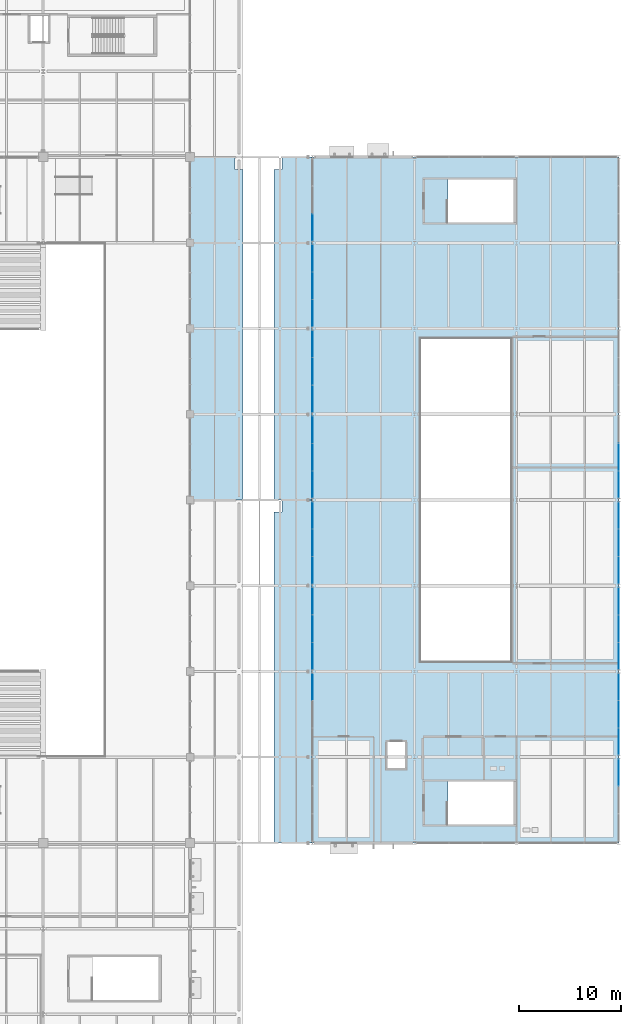
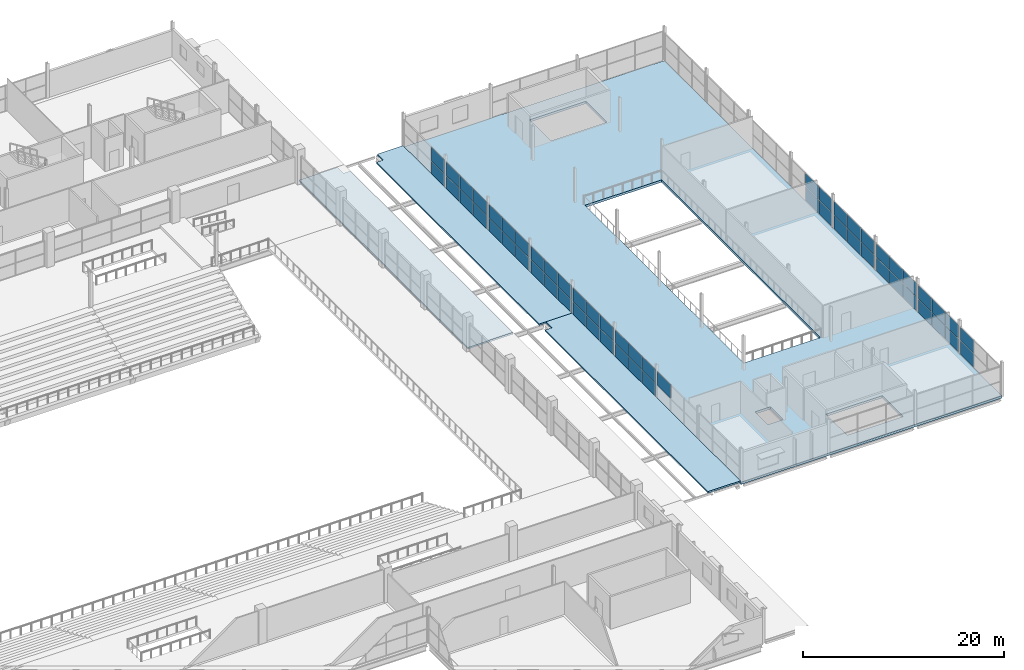
# One storey, part 130 of 161: 57 plates, 4 slabs, 12 elements without a shape of their own.
"""IFC4 building model written with IfcOpenShell, lengths in metres."""

from ifc_helpers import new_model, si_unit, direction, frame, origin, origin_2d, place, context, subcontext, project, spatial, polyline, rectangle, outline, extrude, material, layer, layer_set, type_object, element, aggregate, save


model = new_model("IFC4")

# Units and contexts
model_context = context("Model", 3, precision=1e-05, world=origin(), true_north=direction((0.0, 1.0)))
body_context = subcontext(model_context, "Body", "Model", "MODEL_VIEW")
ifc_project = project(units=[si_unit("LENGTHUNIT", "METRE"), si_unit("AREAUNIT", "SQUARE_METRE"), si_unit("VOLUMEUNIT", "CUBIC_METRE"), si_unit("PLANEANGLEUNIT", "RADIAN"), si_unit("MASSUNIT", "GRAM", prefix="KILO"), si_unit("THERMODYNAMICTEMPERATUREUNIT", "KELVIN")], contexts=[model_context])

# Site, building, storey
site_placement = place(None, origin())
site = spatial("IfcSite", under=ifc_project, at=site_placement, CompositionType="ELEMENT")
building_placement = place(site_placement, origin())
building = spatial("IfcBuilding", under=site, at=building_placement, Name="Nduvali Passage Aquatics Centre", CompositionType="ELEMENT")
storey_placement = place(building_placement, frame((0.0, 0.0, 4.800048828125)))
storey = spatial("IfcBuildingStorey", under=building, at=storey_placement, Name="L01", CompositionType="ELEMENT", Elevation=4.800048828125)

# Curtain wall, plate
ifc_material_1 = material(Name="Aluminium EN AW-6063 T6", Category="aluminium")
curtain_wall_type = type_object("IfcCurtainWallType", Name="ENV-CW-FOYR", PredefinedType="NOTDEFINED", material=ifc_material_1)
curtain_wall_1_placement = place(storey_placement, origin())
curtain_wall_1 = element("IfcCurtainWall", 1, at=curtain_wall_1_placement, inside=storey, type_object=curtain_wall_type, Name="L01 Passage Foyer Upper CW 070", PredefinedType="NOTDEFINED")
ifc_material_2 = material(Name="Laminated solar-control low-E IGU")
ifc_layer_1 = layer(ifc_material_2, 0.028076171875, Name="Laminated solar-control low-E IGU")
ifc_layer_set_1 = layer_set([ifc_layer_1], Name="Laminated solar-control low-E IGU")
plate_type = type_object("IfcPlateType", Name="ENV-PLT-GLZ28", PredefinedType="CURTAIN_PANEL", material=ifc_layer_set_1)
plate_1_placement = place(storey_placement, frame((138.0, 40.485107421875, 1.748046875), z_axis=(0.0, 0.0, 1.0), x_axis=(0.0, 1.0, 0.0)))
plate_1 = element("IfcPlate", 2, at=plate_1_placement, type_object=plate_type, Name="Passage Foyer Upper CW Glazed Panel B3-R2", PredefinedType="CURTAIN_PANEL", context=body_context, shape_type="SweptSolid", body=[
    extrude(rectangle(XDim=2.610107421875, YDim=0.028076171875, at=origin_2d()), origin(), (0.0, 0.0, 1.0), 1.628173828125),
])
aggregate(curtain_wall_1, [plate_1])

# Curtain wall, plates
curtain_wall_2_placement = place(storey_placement, origin())
curtain_wall_2 = element("IfcCurtainWall", 3, at=curtain_wall_2_placement, inside=storey, type_object=curtain_wall_type, Name="L01 Passage Foyer Upper CW 072", PredefinedType="NOTDEFINED")
plate_2_placement = place(storey_placement, frame((138.0, 43.514892578125, 0.06005859375), z_axis=(0.0, 0.0, 1.0), x_axis=(0.0, 1.0, 0.0)))
plate_2 = element("IfcPlate", 4, at=plate_2_placement, type_object=plate_type, Name="Passage Foyer Upper CW Glazed Panel B1-R1", PredefinedType="CURTAIN_PANEL", context=body_context, shape_type="SweptSolid", body=[
    extrude(rectangle(XDim=2.610107421875, YDim=0.028076171875, at=origin_2d()), origin(), (0.0, 0.0, 1.0), 1.628173828125),
])
plate_3_placement = place(storey_placement, frame((138.0, 43.514892578125, 1.748046875), z_axis=(0.0, 0.0, 1.0), x_axis=(0.0, 1.0, 0.0)))
plate_3 = element("IfcPlate", 5, at=plate_3_placement, type_object=plate_type, Name="Passage Foyer Upper CW Glazed Panel B1-R2", PredefinedType="CURTAIN_PANEL", context=body_context, shape_type="SweptSolid", body=[
    extrude(rectangle(XDim=2.610107421875, YDim=0.028076171875, at=origin_2d()), origin(), (0.0, 0.0, 1.0), 1.628173828125),
])
plate_4_placement = place(storey_placement, frame((138.0, 46.199951171875, 0.06005859375), z_axis=(0.0, 0.0, 1.0), x_axis=(0.0, 1.0, 0.0)))
plate_4 = element("IfcPlate", 6, at=plate_4_placement, type_object=plate_type, Name="Passage Foyer Upper CW Glazed Panel B2-R1", PredefinedType="CURTAIN_PANEL", context=body_context, shape_type="SweptSolid", body=[
    extrude(rectangle(XDim=2.639892578125, YDim=0.028076171875, at=origin_2d()), origin(), (0.0, 0.0, 1.0), 1.628173828125),
])
plate_5_placement = place(storey_placement, frame((138.0, 46.199951171875, 1.748046875), z_axis=(0.0, 0.0, 1.0), x_axis=(0.0, 1.0, 0.0)))
plate_5 = element("IfcPlate", 7, at=plate_5_placement, type_object=plate_type, Name="Passage Foyer Upper CW Glazed Panel B2-R2", PredefinedType="CURTAIN_PANEL", context=body_context, shape_type="SweptSolid", body=[
    extrude(rectangle(XDim=2.639892578125, YDim=0.028076171875, at=origin_2d()), origin(), (0.0, 0.0, 1.0), 1.628173828125),
])
plate_6_placement = place(storey_placement, frame((138.0, 48.885009765625, 0.06005859375), z_axis=(0.0, 0.0, 1.0), x_axis=(0.0, 1.0, 0.0)))
plate_6 = element("IfcPlate", 8, at=plate_6_placement, type_object=plate_type, Name="Passage Foyer Upper CW Glazed Panel B3-R1", PredefinedType="CURTAIN_PANEL", context=body_context, shape_type="SweptSolid", body=[
    extrude(rectangle(XDim=2.610107421875, YDim=0.028076171875, at=origin_2d()), origin(), (0.0, 0.0, 1.0), 1.628173828125),
])
plate_7_placement = place(storey_placement, frame((138.0, 48.885009765625, 1.748046875), z_axis=(0.0, 0.0, 1.0), x_axis=(0.0, 1.0, 0.0)))
plate_7 = element("IfcPlate", 9, at=plate_7_placement, type_object=plate_type, Name="Passage Foyer Upper CW Glazed Panel B3-R2", PredefinedType="CURTAIN_PANEL", context=body_context, shape_type="SweptSolid", body=[
    extrude(rectangle(XDim=2.610107421875, YDim=0.028076171875, at=origin_2d()), origin(), (0.0, 0.0, 1.0), 1.628173828125),
])
aggregate(curtain_wall_2, [plate_2, plate_3, plate_4, plate_5, plate_6, plate_7])

curtain_wall_3_placement = place(storey_placement, origin())
curtain_wall_3 = element("IfcCurtainWall", 10, at=curtain_wall_3_placement, inside=storey, type_object=curtain_wall_type, Name="L01 Passage Foyer Upper CW 073", PredefinedType="NOTDEFINED")
plate_8_placement = place(storey_placement, frame((138.0, 51.9150390625, 0.06005859375), z_axis=(0.0, 0.0, 1.0), x_axis=(0.0, 1.0, 0.0)))
plate_8 = element("IfcPlate", 11, at=plate_8_placement, type_object=plate_type, Name="Passage Foyer Upper CW Glazed Panel B1-R1", PredefinedType="CURTAIN_PANEL", context=body_context, shape_type="SweptSolid", body=[
    extrude(rectangle(XDim=2.610107421875, YDim=0.028076171875, at=origin_2d()), origin(), (0.0, 0.0, 1.0), 1.628173828125),
])
plate_9_placement = place(storey_placement, frame((138.0, 51.9150390625, 1.748046875), z_axis=(0.0, 0.0, 1.0), x_axis=(0.0, 1.0, 0.0)))
plate_9 = element("IfcPlate", 12, at=plate_9_placement, type_object=plate_type, Name="Passage Foyer Upper CW Glazed Panel B1-R2", PredefinedType="CURTAIN_PANEL", context=body_context, shape_type="SweptSolid", body=[
    extrude(rectangle(XDim=2.610107421875, YDim=0.028076171875, at=origin_2d()), origin(), (0.0, 0.0, 1.0), 1.628173828125),
])
plate_10_placement = place(storey_placement, frame((138.0, 54.60009765625, 0.06005859375), z_axis=(0.0, 0.0, 1.0), x_axis=(0.0, 1.0, 0.0)))
plate_10 = element("IfcPlate", 13, at=plate_10_placement, type_object=plate_type, Name="Passage Foyer Upper CW Glazed Panel B2-R1", PredefinedType="CURTAIN_PANEL", context=body_context, shape_type="SweptSolid", body=[
    extrude(rectangle(XDim=2.639892578125, YDim=0.028076171875, at=origin_2d()), origin(), (0.0, 0.0, 1.0), 1.628173828125),
])
plate_11_placement = place(storey_placement, frame((138.0, 54.60009765625, 1.748046875), z_axis=(0.0, 0.0, 1.0), x_axis=(0.0, 1.0, 0.0)))
plate_11 = element("IfcPlate", 14, at=plate_11_placement, type_object=plate_type, Name="Passage Foyer Upper CW Glazed Panel B2-R2", PredefinedType="CURTAIN_PANEL", context=body_context, shape_type="SweptSolid", body=[
    extrude(rectangle(XDim=2.639892578125, YDim=0.028076171875, at=origin_2d()), origin(), (0.0, 0.0, 1.0), 1.628173828125),
])
plate_12_placement = place(storey_placement, frame((138.0, 57.284912109375, 0.06005859375), z_axis=(0.0, 0.0, 1.0), x_axis=(0.0, 1.0, 0.0)))
plate_12 = element("IfcPlate", 15, at=plate_12_placement, type_object=plate_type, Name="Passage Foyer Upper CW Glazed Panel B3-R1", PredefinedType="CURTAIN_PANEL", context=body_context, shape_type="SweptSolid", body=[
    extrude(rectangle(XDim=2.610107421875, YDim=0.028076171875, at=origin_2d()), origin(), (0.0, 0.0, 1.0), 1.628173828125),
])
plate_13_placement = place(storey_placement, frame((138.0, 57.284912109375, 1.748046875), z_axis=(0.0, 0.0, 1.0), x_axis=(0.0, 1.0, 0.0)))
plate_13 = element("IfcPlate", 16, at=plate_13_placement, type_object=plate_type, Name="Passage Foyer Upper CW Glazed Panel B3-R2", PredefinedType="CURTAIN_PANEL", context=body_context, shape_type="SweptSolid", body=[
    extrude(rectangle(XDim=2.610107421875, YDim=0.028076171875, at=origin_2d()), origin(), (0.0, 0.0, 1.0), 1.628173828125),
])
aggregate(curtain_wall_3, [plate_8, plate_9, plate_10, plate_11, plate_12, plate_13])

curtain_wall_4_placement = place(storey_placement, origin())
curtain_wall_4 = element("IfcCurtainWall", 17, at=curtain_wall_4_placement, inside=storey, type_object=curtain_wall_type, Name="L01 Passage Foyer Upper CW 074", PredefinedType="NOTDEFINED")
plate_14_placement = place(storey_placement, frame((138.0, 60.31494140625, 0.06005859375), z_axis=(0.0, 0.0, 1.0), x_axis=(0.0, 1.0, 0.0)))
plate_14 = element("IfcPlate", 18, at=plate_14_placement, type_object=plate_type, Name="Passage Foyer Upper CW Glazed Panel B1-R1", PredefinedType="CURTAIN_PANEL", context=body_context, shape_type="SweptSolid", body=[
    extrude(rectangle(XDim=2.610107421875, YDim=0.028076171875, at=origin_2d()), origin(), (0.0, 0.0, 1.0), 1.628173828125),
])
plate_15_placement = place(storey_placement, frame((138.0, 60.31494140625, 1.748046875), z_axis=(0.0, 0.0, 1.0), x_axis=(0.0, 1.0, 0.0)))
plate_15 = element("IfcPlate", 19, at=plate_15_placement, type_object=plate_type, Name="Passage Foyer Upper CW Glazed Panel B1-R2", PredefinedType="CURTAIN_PANEL", context=body_context, shape_type="SweptSolid", body=[
    extrude(rectangle(XDim=2.610107421875, YDim=0.028076171875, at=origin_2d()), origin(), (0.0, 0.0, 1.0), 1.628173828125),
])
plate_16_placement = place(storey_placement, frame((138.0, 63.0, 0.06005859375), z_axis=(0.0, 0.0, 1.0), x_axis=(0.0, 1.0, 0.0)))
plate_16 = element("IfcPlate", 20, at=plate_16_placement, type_object=plate_type, Name="Passage Foyer Upper CW Glazed Panel B2-R1", PredefinedType="CURTAIN_PANEL", context=body_context, shape_type="SweptSolid", body=[
    extrude(rectangle(XDim=2.639892578125, YDim=0.028076171875, at=origin_2d()), origin(), (0.0, 0.0, 1.0), 1.628173828125),
])
plate_17_placement = place(storey_placement, frame((138.0, 63.0, 1.748046875), z_axis=(0.0, 0.0, 1.0), x_axis=(0.0, 1.0, 0.0)))
plate_17 = element("IfcPlate", 21, at=plate_17_placement, type_object=plate_type, Name="Passage Foyer Upper CW Glazed Panel B2-R2", PredefinedType="CURTAIN_PANEL", context=body_context, shape_type="SweptSolid", body=[
    extrude(rectangle(XDim=2.639892578125, YDim=0.028076171875, at=origin_2d()), origin(), (0.0, 0.0, 1.0), 1.628173828125),
])
plate_18_placement = place(storey_placement, frame((138.0, 65.68505859375, 0.06005859375), z_axis=(0.0, 0.0, 1.0), x_axis=(0.0, 1.0, 0.0)))
plate_18 = element("IfcPlate", 22, at=plate_18_placement, type_object=plate_type, Name="Passage Foyer Upper CW Glazed Panel B3-R1", PredefinedType="CURTAIN_PANEL", context=body_context, shape_type="SweptSolid", body=[
    extrude(rectangle(XDim=2.610107421875, YDim=0.028076171875, at=origin_2d()), origin(), (0.0, 0.0, 1.0), 1.628173828125),
])
plate_19_placement = place(storey_placement, frame((138.0, 65.68505859375, 1.748046875), z_axis=(0.0, 0.0, 1.0), x_axis=(0.0, 1.0, 0.0)))
plate_19 = element("IfcPlate", 23, at=plate_19_placement, type_object=plate_type, Name="Passage Foyer Upper CW Glazed Panel B3-R2", PredefinedType="CURTAIN_PANEL", context=body_context, shape_type="SweptSolid", body=[
    extrude(rectangle(XDim=2.610107421875, YDim=0.028076171875, at=origin_2d()), origin(), (0.0, 0.0, 1.0), 1.628173828125),
])
aggregate(curtain_wall_4, [plate_14, plate_15, plate_16, plate_17, plate_18, plate_19])

curtain_wall_5_placement = place(storey_placement, origin())
curtain_wall_5 = element("IfcCurtainWall", 24, at=curtain_wall_5_placement, inside=storey, type_object=curtain_wall_type, Name="L01 Passage Foyer Upper CW 076", PredefinedType="NOTDEFINED")
plate_20_placement = place(storey_placement, frame((138.0, 68.715087890625, 0.06005859375), z_axis=(0.0, 0.0, 1.0), x_axis=(0.0, 1.0, 0.0)))
plate_20 = element("IfcPlate", 25, at=plate_20_placement, type_object=plate_type, Name="Passage Foyer Upper CW Glazed Panel B1-R1", PredefinedType="CURTAIN_PANEL", context=body_context, shape_type="SweptSolid", body=[
    extrude(rectangle(XDim=2.610107421875, YDim=0.028076171875, at=origin_2d()), origin(), (0.0, 0.0, 1.0), 1.628173828125),
])
plate_21_placement = place(storey_placement, frame((138.0, 68.715087890625, 1.748046875), z_axis=(0.0, 0.0, 1.0), x_axis=(0.0, 1.0, 0.0)))
plate_21 = element("IfcPlate", 26, at=plate_21_placement, type_object=plate_type, Name="Passage Foyer Upper CW Glazed Panel B1-R2", PredefinedType="CURTAIN_PANEL", context=body_context, shape_type="SweptSolid", body=[
    extrude(rectangle(XDim=2.610107421875, YDim=0.028076171875, at=origin_2d()), origin(), (0.0, 0.0, 1.0), 1.628173828125),
])
plate_22_placement = place(storey_placement, frame((138.0, 71.39990234375, 0.06005859375), z_axis=(0.0, 0.0, 1.0), x_axis=(0.0, 1.0, 0.0)))
plate_22 = element("IfcPlate", 27, at=plate_22_placement, type_object=plate_type, Name="Passage Foyer Upper CW Glazed Panel B2-R1", PredefinedType="CURTAIN_PANEL", context=body_context, shape_type="SweptSolid", body=[
    extrude(rectangle(XDim=2.639892578125, YDim=0.028076171875, at=origin_2d()), origin(), (0.0, 0.0, 1.0), 1.628173828125),
])
plate_23_placement = place(storey_placement, frame((138.0, 71.39990234375, 1.748046875), z_axis=(0.0, 0.0, 1.0), x_axis=(0.0, 1.0, 0.0)))
plate_23 = element("IfcPlate", 28, at=plate_23_placement, type_object=plate_type, Name="Passage Foyer Upper CW Glazed Panel B2-R2", PredefinedType="CURTAIN_PANEL", context=body_context, shape_type="SweptSolid", body=[
    extrude(rectangle(XDim=2.639892578125, YDim=0.028076171875, at=origin_2d()), origin(), (0.0, 0.0, 1.0), 1.628173828125),
])
plate_24_placement = place(storey_placement, frame((138.0, 74.0849609375, 0.06005859375), z_axis=(0.0, 0.0, 1.0), x_axis=(0.0, 1.0, 0.0)))
plate_24 = element("IfcPlate", 29, at=plate_24_placement, type_object=plate_type, Name="Passage Foyer Upper CW Glazed Panel B3-R1", PredefinedType="CURTAIN_PANEL", context=body_context, shape_type="SweptSolid", body=[
    extrude(rectangle(XDim=2.610107421875, YDim=0.028076171875, at=origin_2d()), origin(), (0.0, 0.0, 1.0), 1.628173828125),
])
plate_25_placement = place(storey_placement, frame((138.0, 74.0849609375, 1.748046875), z_axis=(0.0, 0.0, 1.0), x_axis=(0.0, 1.0, 0.0)))
plate_25 = element("IfcPlate", 30, at=plate_25_placement, type_object=plate_type, Name="Passage Foyer Upper CW Glazed Panel B3-R2", PredefinedType="CURTAIN_PANEL", context=body_context, shape_type="SweptSolid", body=[
    extrude(rectangle(XDim=2.610107421875, YDim=0.028076171875, at=origin_2d()), origin(), (0.0, 0.0, 1.0), 1.628173828125),
])
aggregate(curtain_wall_5, [plate_20, plate_21, plate_22, plate_23, plate_24, plate_25])

curtain_wall_6_placement = place(storey_placement, origin())
curtain_wall_6 = element("IfcCurtainWall", 31, at=curtain_wall_6_placement, inside=storey, type_object=curtain_wall_type, Name="L01 Passage Foyer Upper CW 078", PredefinedType="NOTDEFINED")
plate_26_placement = place(storey_placement, frame((138.0, 77.114990234375, 0.06005859375), z_axis=(0.0, 0.0, 1.0), x_axis=(0.0, 1.0, 0.0)))
plate_26 = element("IfcPlate", 32, at=plate_26_placement, type_object=plate_type, Name="Passage Foyer Upper CW Glazed Panel B1-R1", PredefinedType="CURTAIN_PANEL", context=body_context, shape_type="SweptSolid", body=[
    extrude(rectangle(XDim=2.610107421875, YDim=0.028076171875, at=origin_2d()), origin(), (0.0, 0.0, 1.0), 1.628173828125),
])
plate_27_placement = place(storey_placement, frame((138.0, 77.114990234375, 1.748046875), z_axis=(0.0, 0.0, 1.0), x_axis=(0.0, 1.0, 0.0)))
plate_27 = element("IfcPlate", 33, at=plate_27_placement, type_object=plate_type, Name="Passage Foyer Upper CW Glazed Panel B1-R2", PredefinedType="CURTAIN_PANEL", context=body_context, shape_type="SweptSolid", body=[
    extrude(rectangle(XDim=2.610107421875, YDim=0.028076171875, at=origin_2d()), origin(), (0.0, 0.0, 1.0), 1.628173828125),
])
plate_28_placement = place(storey_placement, frame((138.0, 79.800048828125, 0.06005859375), z_axis=(0.0, 0.0, 1.0), x_axis=(0.0, 1.0, 0.0)))
plate_28 = element("IfcPlate", 34, at=plate_28_placement, type_object=plate_type, Name="Passage Foyer Upper CW Glazed Panel B2-R1", PredefinedType="CURTAIN_PANEL", context=body_context, shape_type="SweptSolid", body=[
    extrude(rectangle(XDim=2.639892578125, YDim=0.028076171875, at=origin_2d()), origin(), (0.0, 0.0, 1.0), 1.628173828125),
])
plate_29_placement = place(storey_placement, frame((138.0, 79.800048828125, 1.748046875), z_axis=(0.0, 0.0, 1.0), x_axis=(0.0, 1.0, 0.0)))
plate_29 = element("IfcPlate", 35, at=plate_29_placement, type_object=plate_type, Name="Passage Foyer Upper CW Glazed Panel B2-R2", PredefinedType="CURTAIN_PANEL", context=body_context, shape_type="SweptSolid", body=[
    extrude(rectangle(XDim=2.639892578125, YDim=0.028076171875, at=origin_2d()), origin(), (0.0, 0.0, 1.0), 1.628173828125),
])
plate_30_placement = place(storey_placement, frame((138.0, 82.485107421875, 0.06005859375), z_axis=(0.0, 0.0, 1.0), x_axis=(0.0, 1.0, 0.0)))
plate_30 = element("IfcPlate", 36, at=plate_30_placement, type_object=plate_type, Name="Passage Foyer Upper CW Glazed Panel B3-R1", PredefinedType="CURTAIN_PANEL", context=body_context, shape_type="SweptSolid", body=[
    extrude(rectangle(XDim=2.610107421875, YDim=0.028076171875, at=origin_2d()), origin(), (0.0, 0.0, 1.0), 1.628173828125),
])
plate_31_placement = place(storey_placement, frame((138.0, 82.485107421875, 1.748046875), z_axis=(0.0, 0.0, 1.0), x_axis=(0.0, 1.0, 0.0)))
plate_31 = element("IfcPlate", 37, at=plate_31_placement, type_object=plate_type, Name="Passage Foyer Upper CW Glazed Panel B3-R2", PredefinedType="CURTAIN_PANEL", context=body_context, shape_type="SweptSolid", body=[
    extrude(rectangle(XDim=2.610107421875, YDim=0.028076171875, at=origin_2d()), origin(), (0.0, 0.0, 1.0), 1.628173828125),
])
aggregate(curtain_wall_6, [plate_26, plate_27, plate_28, plate_29, plate_30, plate_31])

curtain_wall_7_placement = place(storey_placement, origin())
curtain_wall_7 = element("IfcCurtainWall", 38, at=curtain_wall_7_placement, inside=storey, type_object=curtain_wall_type, Name="L01 Passage Foyer End Upper CW 079", PredefinedType="NOTDEFINED")
plate_32_placement = place(storey_placement, frame((138.0, 85.514892578125, 0.06005859375), z_axis=(0.0, 0.0, 1.0), x_axis=(0.0, 1.0, 0.0)))
plate_32 = element("IfcPlate", 39, at=plate_32_placement, type_object=plate_type, Name="Passage Foyer End Upper CW Glazed Panel B1-R1", PredefinedType="CURTAIN_PANEL", context=body_context, shape_type="SweptSolid", body=[
    extrude(rectangle(XDim=2.610107421875, YDim=0.028076171875, at=origin_2d()), origin(), (0.0, 0.0, 1.0), 1.628173828125),
])
plate_33_placement = place(storey_placement, frame((138.0, 85.514892578125, 1.748046875), z_axis=(0.0, 0.0, 1.0), x_axis=(0.0, 1.0, 0.0)))
plate_33 = element("IfcPlate", 40, at=plate_33_placement, type_object=plate_type, Name="Passage Foyer End Upper CW Glazed Panel B1-R2", PredefinedType="CURTAIN_PANEL", context=body_context, shape_type="SweptSolid", body=[
    extrude(rectangle(XDim=2.610107421875, YDim=0.028076171875, at=origin_2d()), origin(), (0.0, 0.0, 1.0), 1.628173828125),
])
aggregate(curtain_wall_7, [plate_32, plate_33])

curtain_wall_8_placement = place(storey_placement, origin())
curtain_wall_8 = element("IfcCurtainWall", 41, at=curtain_wall_8_placement, inside=storey, type_object=curtain_wall_type, Name="L01 East Avenue Entrance End Upper CW 080", PredefinedType="NOTDEFINED")
plate_34_placement = place(storey_placement, frame((168.0, 32.081787109375, 0.06005859375), z_axis=(0.0, 0.0, 1.0), x_axis=(0.0, 1.0, 0.0)))
plate_34 = element("IfcPlate", 42, at=plate_34_placement, type_object=plate_type, Name="East Avenue Entrance End Upper CW Glazed Panel B3-R1", PredefinedType="CURTAIN_PANEL", context=body_context, shape_type="SweptSolid", body=[
    extrude(rectangle(XDim=2.606689453125, YDim=0.028076171875, at=origin_2d()), origin(), (0.0, 0.0, 1.0), 1.628173828125),
])
plate_35_placement = place(storey_placement, frame((168.0, 32.081787109375, 1.748046875), z_axis=(0.0, 0.0, 1.0), x_axis=(0.0, 1.0, 0.0)))
plate_35 = element("IfcPlate", 43, at=plate_35_placement, type_object=plate_type, Name="East Avenue Entrance End Upper CW Glazed Panel B3-R2", PredefinedType="CURTAIN_PANEL", context=body_context, shape_type="SweptSolid", body=[
    extrude(rectangle(XDim=2.606689453125, YDim=0.028076171875, at=origin_2d()), origin(), (0.0, 0.0, 1.0), 1.628173828125),
])
aggregate(curtain_wall_8, [plate_34, plate_35])

curtain_wall_9_placement = place(storey_placement, origin())
curtain_wall_9 = element("IfcCurtainWall", 44, at=curtain_wall_9_placement, inside=storey, type_object=curtain_wall_type, Name="L01 East Avenue Entrance Upper CW 082", PredefinedType="NOTDEFINED")
plate_36_placement = place(storey_placement, frame((168.0, 35.118408203125, 0.06005859375), z_axis=(0.0, 0.0, 1.0), x_axis=(0.0, 1.0, 0.0)))
plate_36 = element("IfcPlate", 45, at=plate_36_placement, type_object=plate_type, Name="East Avenue Entrance Upper CW Glazed Panel B1-R1", PredefinedType="CURTAIN_PANEL", context=body_context, shape_type="SweptSolid", body=[
    extrude(rectangle(XDim=2.606689453125, YDim=0.028076171875, at=origin_2d()), origin(), (0.0, 0.0, 1.0), 1.628173828125),
])
plate_37_placement = place(storey_placement, frame((168.0, 35.118408203125, 1.748046875), z_axis=(0.0, 0.0, 1.0), x_axis=(0.0, 1.0, 0.0)))
plate_37 = element("IfcPlate", 46, at=plate_37_placement, type_object=plate_type, Name="East Avenue Entrance Upper CW Glazed Panel B1-R2", PredefinedType="CURTAIN_PANEL", context=body_context, shape_type="SweptSolid", body=[
    extrude(rectangle(XDim=2.606689453125, YDim=0.028076171875, at=origin_2d()), origin(), (0.0, 0.0, 1.0), 1.628173828125),
])
plate_38_placement = place(storey_placement, frame((168.0, 37.800048828125, 0.06005859375), z_axis=(0.0, 0.0, 1.0), x_axis=(0.0, 1.0, 0.0)))
plate_38 = element("IfcPlate", 47, at=plate_38_placement, type_object=plate_type, Name="East Avenue Entrance Upper CW Glazed Panel B2-R1", PredefinedType="CURTAIN_PANEL", context=body_context, shape_type="SweptSolid", body=[
    extrude(rectangle(XDim=2.63671875, YDim=0.028076171875, at=origin_2d()), origin(), (0.0, 0.0, 1.0), 1.628173828125),
])
plate_39_placement = place(storey_placement, frame((168.0, 37.800048828125, 1.748046875), z_axis=(0.0, 0.0, 1.0), x_axis=(0.0, 1.0, 0.0)))
plate_39 = element("IfcPlate", 48, at=plate_39_placement, type_object=plate_type, Name="East Avenue Entrance Upper CW Glazed Panel B2-R2", PredefinedType="CURTAIN_PANEL", context=body_context, shape_type="SweptSolid", body=[
    extrude(rectangle(XDim=2.63671875, YDim=0.028076171875, at=origin_2d()), origin(), (0.0, 0.0, 1.0), 1.628173828125),
])
plate_40_placement = place(storey_placement, frame((168.0, 40.481689453125, 0.06005859375), z_axis=(0.0, 0.0, 1.0), x_axis=(0.0, 1.0, 0.0)))
plate_40 = element("IfcPlate", 49, at=plate_40_placement, type_object=plate_type, Name="East Avenue Entrance Upper CW Glazed Panel B3-R1", PredefinedType="CURTAIN_PANEL", context=body_context, shape_type="SweptSolid", body=[
    extrude(rectangle(XDim=2.606689453125, YDim=0.028076171875, at=origin_2d()), origin(), (0.0, 0.0, 1.0), 1.628173828125),
])
plate_41_placement = place(storey_placement, frame((168.0, 40.481689453125, 1.748046875), z_axis=(0.0, 0.0, 1.0), x_axis=(0.0, 1.0, 0.0)))
plate_41 = element("IfcPlate", 50, at=plate_41_placement, type_object=plate_type, Name="East Avenue Entrance Upper CW Glazed Panel B3-R2", PredefinedType="CURTAIN_PANEL", context=body_context, shape_type="SweptSolid", body=[
    extrude(rectangle(XDim=2.606689453125, YDim=0.028076171875, at=origin_2d()), origin(), (0.0, 0.0, 1.0), 1.628173828125),
])
aggregate(curtain_wall_9, [plate_36, plate_37, plate_38, plate_39, plate_40, plate_41])

curtain_wall_10_placement = place(storey_placement, origin())
curtain_wall_10 = element("IfcCurtainWall", 51, at=curtain_wall_10_placement, inside=storey, type_object=curtain_wall_type, Name="L01 East Avenue Entrance Upper CW 084", PredefinedType="NOTDEFINED")
plate_42_placement = place(storey_placement, frame((168.0, 43.518310546875, 0.06005859375), z_axis=(0.0, 0.0, 1.0), x_axis=(0.0, 1.0, 0.0)))
plate_42 = element("IfcPlate", 52, at=plate_42_placement, type_object=plate_type, Name="East Avenue Entrance Upper CW Glazed Panel B1-R1", PredefinedType="CURTAIN_PANEL", context=body_context, shape_type="SweptSolid", body=[
    extrude(rectangle(XDim=2.606689453125, YDim=0.028076171875, at=origin_2d()), origin(), (0.0, 0.0, 1.0), 1.628173828125),
])
plate_43_placement = place(storey_placement, frame((168.0, 43.518310546875, 1.748046875), z_axis=(0.0, 0.0, 1.0), x_axis=(0.0, 1.0, 0.0)))
plate_43 = element("IfcPlate", 53, at=plate_43_placement, type_object=plate_type, Name="East Avenue Entrance Upper CW Glazed Panel B1-R2", PredefinedType="CURTAIN_PANEL", context=body_context, shape_type="SweptSolid", body=[
    extrude(rectangle(XDim=2.606689453125, YDim=0.028076171875, at=origin_2d()), origin(), (0.0, 0.0, 1.0), 1.628173828125),
])
plate_44_placement = place(storey_placement, frame((168.0, 46.199951171875, 0.06005859375), z_axis=(0.0, 0.0, 1.0), x_axis=(0.0, 1.0, 0.0)))
plate_44 = element("IfcPlate", 54, at=plate_44_placement, type_object=plate_type, Name="East Avenue Entrance Upper CW Glazed Panel B2-R1", PredefinedType="CURTAIN_PANEL", context=body_context, shape_type="SweptSolid", body=[
    extrude(rectangle(XDim=2.63671875, YDim=0.028076171875, at=origin_2d()), origin(), (0.0, 0.0, 1.0), 1.628173828125),
])
plate_45_placement = place(storey_placement, frame((168.0, 46.199951171875, 1.748046875), z_axis=(0.0, 0.0, 1.0), x_axis=(0.0, 1.0, 0.0)))
plate_45 = element("IfcPlate", 55, at=plate_45_placement, type_object=plate_type, Name="East Avenue Entrance Upper CW Glazed Panel B2-R2", PredefinedType="CURTAIN_PANEL", context=body_context, shape_type="SweptSolid", body=[
    extrude(rectangle(XDim=2.63671875, YDim=0.028076171875, at=origin_2d()), origin(), (0.0, 0.0, 1.0), 1.628173828125),
])
plate_46_placement = place(storey_placement, frame((168.0, 48.881591796875, 0.06005859375), z_axis=(0.0, 0.0, 1.0), x_axis=(0.0, 1.0, 0.0)))
plate_46 = element("IfcPlate", 56, at=plate_46_placement, type_object=plate_type, Name="East Avenue Entrance Upper CW Glazed Panel B3-R1", PredefinedType="CURTAIN_PANEL", context=body_context, shape_type="SweptSolid", body=[
    extrude(rectangle(XDim=2.606689453125, YDim=0.028076171875, at=origin_2d()), origin(), (0.0, 0.0, 1.0), 1.628173828125),
])
plate_47_placement = place(storey_placement, frame((168.0, 48.881591796875, 1.748046875), z_axis=(0.0, 0.0, 1.0), x_axis=(0.0, 1.0, 0.0)))
plate_47 = element("IfcPlate", 57, at=plate_47_placement, type_object=plate_type, Name="East Avenue Entrance Upper CW Glazed Panel B3-R2", PredefinedType="CURTAIN_PANEL", context=body_context, shape_type="SweptSolid", body=[
    extrude(rectangle(XDim=2.606689453125, YDim=0.028076171875, at=origin_2d()), origin(), (0.0, 0.0, 1.0), 1.628173828125),
])
aggregate(curtain_wall_10, [plate_42, plate_43, plate_44, plate_45, plate_46, plate_47])

curtain_wall_11_placement = place(storey_placement, origin())
curtain_wall_11 = element("IfcCurtainWall", 58, at=curtain_wall_11_placement, inside=storey, type_object=curtain_wall_type, Name="L01 East Avenue Entrance Upper CW 085", PredefinedType="NOTDEFINED")
plate_48_placement = place(storey_placement, frame((168.0, 51.918212890625, 0.06005859375), z_axis=(0.0, 0.0, 1.0), x_axis=(0.0, 1.0, 0.0)))
plate_48 = element("IfcPlate", 59, at=plate_48_placement, type_object=plate_type, Name="East Avenue Entrance Upper CW Glazed Panel B1-R1", PredefinedType="CURTAIN_PANEL", context=body_context, shape_type="SweptSolid", body=[
    extrude(rectangle(XDim=2.606689453125, YDim=0.028076171875, at=origin_2d()), origin(), (0.0, 0.0, 1.0), 1.628173828125),
])
plate_49_placement = place(storey_placement, frame((168.0, 51.918212890625, 1.748046875), z_axis=(0.0, 0.0, 1.0), x_axis=(0.0, 1.0, 0.0)))
plate_49 = element("IfcPlate", 60, at=plate_49_placement, type_object=plate_type, Name="East Avenue Entrance Upper CW Glazed Panel B1-R2", PredefinedType="CURTAIN_PANEL", context=body_context, shape_type="SweptSolid", body=[
    extrude(rectangle(XDim=2.606689453125, YDim=0.028076171875, at=origin_2d()), origin(), (0.0, 0.0, 1.0), 1.628173828125),
])
plate_50_placement = place(storey_placement, frame((168.0, 54.60009765625, 0.06005859375), z_axis=(0.0, 0.0, 1.0), x_axis=(0.0, 1.0, 0.0)))
plate_50 = element("IfcPlate", 61, at=plate_50_placement, type_object=plate_type, Name="East Avenue Entrance Upper CW Glazed Panel B2-R1", PredefinedType="CURTAIN_PANEL", context=body_context, shape_type="SweptSolid", body=[
    extrude(rectangle(XDim=2.63671875, YDim=0.028076171875, at=origin_2d()), origin(), (0.0, 0.0, 1.0), 1.628173828125),
])
plate_51_placement = place(storey_placement, frame((168.0, 54.60009765625, 1.748046875), z_axis=(0.0, 0.0, 1.0), x_axis=(0.0, 1.0, 0.0)))
plate_51 = element("IfcPlate", 62, at=plate_51_placement, type_object=plate_type, Name="East Avenue Entrance Upper CW Glazed Panel B2-R2", PredefinedType="CURTAIN_PANEL", context=body_context, shape_type="SweptSolid", body=[
    extrude(rectangle(XDim=2.63671875, YDim=0.028076171875, at=origin_2d()), origin(), (0.0, 0.0, 1.0), 1.628173828125),
])
plate_52_placement = place(storey_placement, frame((168.0, 57.28173828125, 0.06005859375), z_axis=(0.0, 0.0, 1.0), x_axis=(0.0, 1.0, 0.0)))
plate_52 = element("IfcPlate", 63, at=plate_52_placement, type_object=plate_type, Name="East Avenue Entrance Upper CW Glazed Panel B3-R1", PredefinedType="CURTAIN_PANEL", context=body_context, shape_type="SweptSolid", body=[
    extrude(rectangle(XDim=2.606689453125, YDim=0.028076171875, at=origin_2d()), origin(), (0.0, 0.0, 1.0), 1.628173828125),
])
plate_53_placement = place(storey_placement, frame((168.0, 57.28173828125, 1.748046875), z_axis=(0.0, 0.0, 1.0), x_axis=(0.0, 1.0, 0.0)))
plate_53 = element("IfcPlate", 64, at=plate_53_placement, type_object=plate_type, Name="East Avenue Entrance Upper CW Glazed Panel B3-R2", PredefinedType="CURTAIN_PANEL", context=body_context, shape_type="SweptSolid", body=[
    extrude(rectangle(XDim=2.606689453125, YDim=0.028076171875, at=origin_2d()), origin(), (0.0, 0.0, 1.0), 1.628173828125),
])
aggregate(curtain_wall_11, [plate_48, plate_49, plate_50, plate_51, plate_52, plate_53])

curtain_wall_12_placement = place(storey_placement, origin())
curtain_wall_12 = element("IfcCurtainWall", 65, at=curtain_wall_12_placement, inside=storey, type_object=curtain_wall_type, Name="L01 East Avenue Entrance Upper CW 086", PredefinedType="NOTDEFINED")
plate_54_placement = place(storey_placement, frame((168.0, 60.318359375, 0.06005859375), z_axis=(0.0, 0.0, 1.0), x_axis=(0.0, 1.0, 0.0)))
plate_54 = element("IfcPlate", 66, at=plate_54_placement, type_object=plate_type, Name="East Avenue Entrance Upper CW Glazed Panel B1-R1", PredefinedType="CURTAIN_PANEL", context=body_context, shape_type="SweptSolid", body=[
    extrude(rectangle(XDim=2.606689453125, YDim=0.028076171875, at=origin_2d()), origin(), (0.0, 0.0, 1.0), 1.628173828125),
])
plate_55_placement = place(storey_placement, frame((168.0, 60.318359375, 1.748046875), z_axis=(0.0, 0.0, 1.0), x_axis=(0.0, 1.0, 0.0)))
plate_55 = element("IfcPlate", 67, at=plate_55_placement, type_object=plate_type, Name="East Avenue Entrance Upper CW Glazed Panel B1-R2", PredefinedType="CURTAIN_PANEL", context=body_context, shape_type="SweptSolid", body=[
    extrude(rectangle(XDim=2.606689453125, YDim=0.028076171875, at=origin_2d()), origin(), (0.0, 0.0, 1.0), 1.628173828125),
])
plate_56_placement = place(storey_placement, frame((168.0, 63.0, 0.06005859375), z_axis=(0.0, 0.0, 1.0), x_axis=(0.0, 1.0, 0.0)))
plate_56 = element("IfcPlate", 68, at=plate_56_placement, type_object=plate_type, Name="East Avenue Entrance Upper CW Glazed Panel B2-R1", PredefinedType="CURTAIN_PANEL", context=body_context, shape_type="SweptSolid", body=[
    extrude(rectangle(XDim=2.63671875, YDim=0.028076171875, at=origin_2d()), origin(), (0.0, 0.0, 1.0), 1.628173828125),
])
plate_57_placement = place(storey_placement, frame((168.0, 63.0, 1.748046875), z_axis=(0.0, 0.0, 1.0), x_axis=(0.0, 1.0, 0.0)))
plate_57 = element("IfcPlate", 69, at=plate_57_placement, type_object=plate_type, Name="East Avenue Entrance Upper CW Glazed Panel B2-R2", PredefinedType="CURTAIN_PANEL", context=body_context, shape_type="SweptSolid", body=[
    extrude(rectangle(XDim=2.63671875, YDim=0.028076171875, at=origin_2d()), origin(), (0.0, 0.0, 1.0), 1.628173828125),
])
aggregate(curtain_wall_12, [plate_54, plate_55, plate_56, plate_57])

# Slabs
ifc_material_3 = material(Name="Concrete C40/50", Category="concrete")
ifc_layer_2 = layer(ifc_material_3, 0.280029296875, Name="Concrete C40/50")
ifc_layer_set_2 = layer_set([ifc_layer_2], Name="Concrete C40/50")
slab_type_1 = type_object("IfcSlabType", Name="STR-SLB-FLR280", PredefinedType="FLOOR", material=ifc_layer_set_2)
slab_1_placement = place(storey_placement, frame((0.0, 0.0, -0.280029296875)))
element("IfcSlab", 70, at=slab_1_placement, inside=storey, type_object=slab_type_1, Name="L01 Upper Entrance Foyer, Doping Control and Hospitality Slab", PredefinedType="FLOOR", context=body_context, shape_type="SweptSolid", body=[
    extrude(outline(polyline([(138.0, 25.199951171875), (168.0, 25.199951171875), (168.0, 92.39990234375), (138.0, 92.39990234375), (138.0, 25.199951171875)]), holes=[polyline([(151.25, 27.0), (157.699951171875, 27.0), (157.699951171875, 31.18994140625), (151.25, 31.18994140625), (151.25, 27.0)]), polyline([(151.25, 86.0), (157.699951171875, 86.0), (157.699951171875, 90.18994140625), (151.25, 90.18994140625), (151.25, 86.0)]), polyline([(145.320068359375, 32.52001953125), (147.080078125, 32.52001953125), (147.080078125, 35.080078125), (145.320068359375, 35.080078125), (145.320068359375, 32.52001953125)]), polyline([(148.60009765625, 43.0), (157.39990234375, 43.0), (157.39990234375, 74.60009765625), (148.60009765625, 74.60009765625), (148.60009765625, 43.0)])]), origin(), (0.0, 0.0, 1.0), 0.280029296875),
])
ifc_layer_3 = layer(ifc_material_3, 0.18994140625, Name="Concrete C40/50")
ifc_layer_set_3 = layer_set([ifc_layer_3], Name="Concrete C40/50")
slab_type_2 = type_object("IfcSlabType", Name="STR-SLB-ROOF190", PredefinedType="ROOF", material=ifc_layer_set_3)
slab_2_placement = place(storey_placement, origin())
element("IfcSlab", 71, at=slab_2_placement, inside=storey, type_object=slab_type_2, Name="L01 Monsoon Passage West Colonnade Canopy Slab 3", PredefinedType="ROOF", context=body_context, shape_type="SweptSolid", body=[
    extrude(outline(polyline([(126.0, 58.800048828125), (131.199951171875, 58.800048828125), (131.199951171875, 91.199951171875), (130.39990234375, 91.199951171875), (130.39990234375, 92.39990234375), (126.0, 92.39990234375), (126.0, 58.800048828125)])), origin(), (0.0, 0.0, 1.0), 0.18994140625),
])
slab_3_placement = place(storey_placement, origin())
element("IfcSlab", 72, at=slab_3_placement, inside=storey, type_object=slab_type_2, Name="L01 East Pavilion Portico Canopy Slab 1", PredefinedType="ROOF", context=body_context, shape_type="SweptSolid", body=[
    extrude(outline(polyline([(134.199951171875, 25.199951171875), (137.949951171875, 25.199951171875), (137.949951171875, 58.800048828125), (135.0, 58.800048828125), (135.0, 57.60009765625), (134.199951171875, 57.60009765625), (134.199951171875, 25.199951171875)])), origin(), (0.0, 0.0, 1.0), 0.18994140625),
])
slab_4_placement = place(storey_placement, origin())
element("IfcSlab", 73, at=slab_4_placement, inside=storey, type_object=slab_type_2, Name="L01 East Pavilion Portico Canopy Slab 2", PredefinedType="ROOF", context=body_context, shape_type="SweptSolid", body=[
    extrude(outline(polyline([(134.199951171875, 58.800048828125), (137.949951171875, 58.800048828125), (137.949951171875, 92.39990234375), (135.0, 92.39990234375), (135.0, 91.199951171875), (134.199951171875, 91.199951171875), (134.199951171875, 58.800048828125)])), origin(), (0.0, 0.0, 1.0), 0.18994140625),
])

save(model, "model.ifc")
